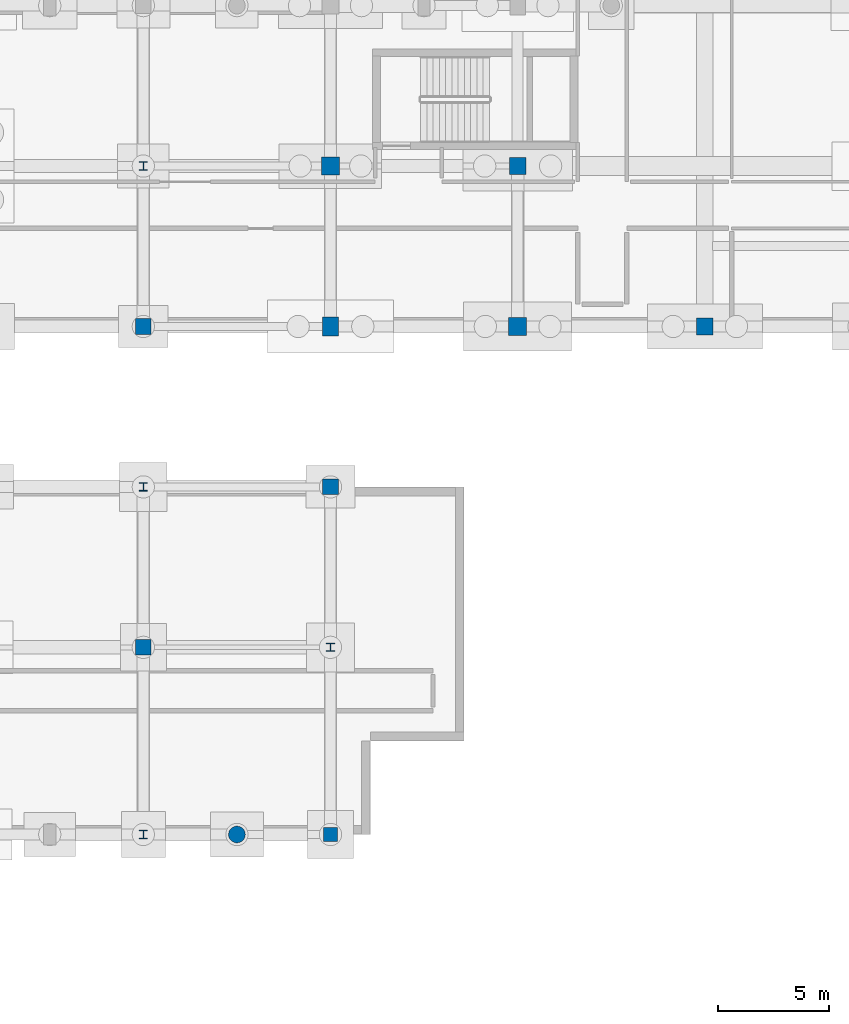
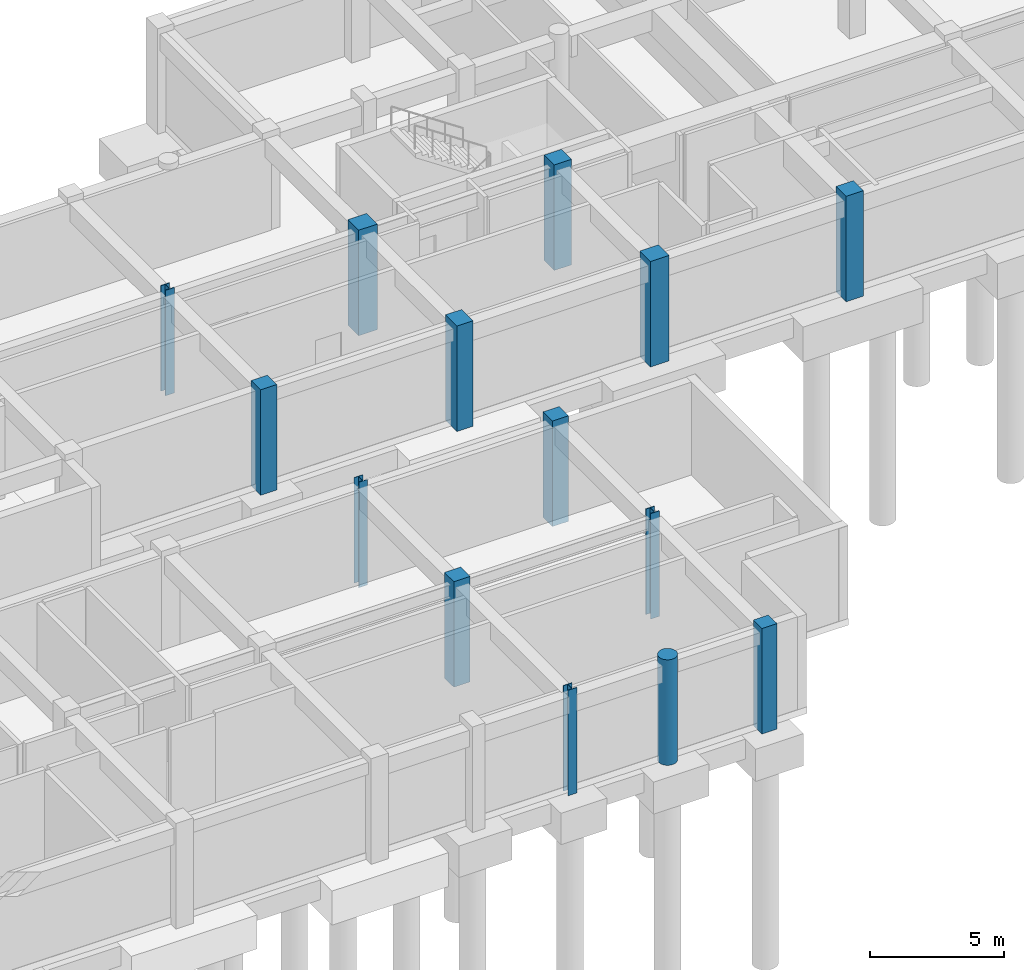
# One storey, part 16 of 42: 14 columns.
"""IFC4 building model written with IfcOpenShell, lengths in metres."""

import ifcopenshell
import ifcopenshell.guid

model = None  # the IFC model being written
_history = None  # IfcOwnerHistory: only IFC2X3 demands one
_inside = {}  # id of a spatial element -> (the spatial element, [elements in it])
_under = {}  # id of a project, library or spatial element -> (it, [spatial elements below it])
_declared = {}  # id of a project -> (the project, [libraries it declares])
_typed = {}  # id of a type object -> (the type object, [elements of that type])
_made_of = {}  # id of a material, layer set ... -> (it, [elements and type objects made of it])


def new_model(schema):
    """Start an empty IFC model of exactly this schema.

    Asked for "IFC4X3", IfcOpenShell would pick the latest addendum, in which some entities
    have other attributes; the version numbers below select the first issue.
    IFC2X3 requires an IfcOwnerHistory on every rooted entity: one is made here for all.
    """
    global model, _history
    if schema == "IFC4X3":
        model = ifcopenshell.file(schema_version=(4, 3, 0, 0))
    else:
        model = ifcopenshell.file(schema=schema)
    _inside.clear()
    _under.clear()
    _declared.clear()
    _typed.clear()
    _made_of.clear()
    _history = None
    if model.schema == "IFC2X3":
        org = make("IfcOrganization", Name="unknown")
        user = make(
            "IfcPersonAndOrganization",
            ThePerson=make("IfcPerson", FamilyName="unknown"),
            TheOrganization=org,
        )
        app = make(
            "IfcApplication",
            ApplicationDeveloper=org,
            Version="unknown",
            ApplicationFullName="unknown",
            ApplicationIdentifier="unknown",
        )
        _history = make(
            "IfcOwnerHistory",
            OwningUser=user,
            OwningApplication=app,
            ChangeAction="ADDED",
            CreationDate=0,
        )
    return model


def make(cls, **values):
    """One entity of the class cls with the attributes given. An attribute that is None is left unset."""
    return model.create_entity(
        cls, **{name: value for name, value in values.items() if value is not None}
    )


def rooted(cls, **values):
    """An entity with a GlobalId (a new one), such as an element, a storey or a relation."""
    return make(cls, GlobalId=ifcopenshell.guid.new(), OwnerHistory=_history, **values)


def si_unit(unit_type, name, prefix=None):
    """IfcSIUnit, for example si_unit("LENGTHUNIT", "METRE", prefix="MILLI")."""
    return make("IfcSIUnit", UnitType=unit_type, Prefix=prefix, Name=name)


def assignment(units):
    """IfcUnitAssignment: the units of a project."""
    return None if units is None else make("IfcUnitAssignment", Units=units)


def point(xyz):
    """IfcCartesianPoint."""
    return None if xyz is None else make("IfcCartesianPoint", Coordinates=xyz)


def direction(xyz):
    """IfcDirection."""
    return None if xyz is None else make("IfcDirection", DirectionRatios=xyz)


def frame(location, z_axis=None, x_axis=None):
    """IfcAxis2Placement3D, a coordinate frame: its origin and axes. An axis left out is left unset."""
    return make(
        "IfcAxis2Placement3D",
        Location=point(location),
        Axis=direction(z_axis),
        RefDirection=direction(x_axis),
    )


def frame_2d(location, x_axis=None):
    """IfcAxis2Placement2D, a coordinate frame in the plane: its origin and x axis."""
    return make(
        "IfcAxis2Placement2D", Location=point(location), RefDirection=direction(x_axis)
    )


def origin():
    """The frame at (0, 0, 0) with its axes left unset."""
    return frame((0.0, 0.0, 0.0))


def origin_2d():
    """The frame at (0, 0) in the plane with its x axis left unset."""
    return frame_2d((0.0, 0.0))


def place(relative_to, where):
    """IfcLocalPlacement: puts the frame where relative to a parent placement (None: the world)."""
    return make(
        "IfcLocalPlacement", PlacementRelTo=relative_to, RelativePlacement=where
    )


def context(
    kind, dimensions, precision=None, world=None, true_north=None, identifier=None
):
    """IfcGeometricRepresentationContext, for example the 3D "Model" context."""
    return make(
        "IfcGeometricRepresentationContext",
        ContextIdentifier=identifier,
        ContextType=kind,
        CoordinateSpaceDimension=dimensions,
        Precision=precision,
        WorldCoordinateSystem=world,
        TrueNorth=true_north,
    )


def subcontext(parent, identifier, kind, view, scale=None):
    """IfcGeometricRepresentationSubContext, for example "Body" below "Model"."""
    return make(
        "IfcGeometricRepresentationSubContext",
        ContextIdentifier=identifier,
        ContextType=kind,
        ParentContext=parent,
        TargetScale=scale,
        TargetView=view,
    )


def project(units=None, contexts=None):
    """IfcProject with its units and contexts."""
    return rooted(
        "IfcProject",
        Name="project",
        RepresentationContexts=contexts,
        UnitsInContext=assignment(units),
    )


def spatial(cls, under=None, at=None, **own):
    """A site, building, storey or space (cls), placed at a placement, below another one or the project."""
    s = rooted(cls, ObjectPlacement=at, **own)
    if under is not None:
        _under.setdefault(under.id(), (under, []))[1].append(s)
    return s


def profile(cls, at=None, kind="AREA", **sizes):
    """A parametric profile (cls). Its sizes go by their IFC names, for example OverallWidth=200.0."""
    return make(cls, ProfileType=kind, Position=at, **sizes)


def rectangle(**sizes):
    """IfcRectangleProfileDef."""
    return profile("IfcRectangleProfileDef", **sizes)


def circle(**sizes):
    """IfcCircleProfileDef."""
    return profile("IfcCircleProfileDef", **sizes)


def i_section(**sizes):
    """IfcIShapeProfileDef."""
    return profile("IfcIShapeProfileDef", **sizes)


def extrude(swept, where, along, depth):
    """IfcExtrudedAreaSolid: the profile swept, set in the frame where, extruded along a direction by depth."""
    return make(
        "IfcExtrudedAreaSolid",
        SweptArea=swept,
        Position=where,
        ExtrudedDirection=direction(along),
        Depth=depth,
    )


def shape(context_of_items, identifier, shape_type, items):
    """IfcShapeRepresentation: the items that make up one representation, for example the "Body"."""
    return make(
        "IfcShapeRepresentation",
        ContextOfItems=context_of_items,
        RepresentationIdentifier=identifier,
        RepresentationType=shape_type,
        Items=items,
    )


def material(Name=None, Category=None):
    """IfcMaterial."""
    return make("IfcMaterial", Name=Name, Category=Category)


def material_profile(
    of_material, cross_section, Name=None, Category=None, Priority=None
):
    """IfcMaterialProfile: a cross section and its material."""
    return make(
        "IfcMaterialProfile",
        Name=Name,
        Material=of_material,
        Profile=cross_section,
        Priority=Priority,
        Category=Category,
    )


def profile_set(profiles, Name=None, composite=None):
    """IfcMaterialProfileSet."""
    return make(
        "IfcMaterialProfileSet",
        Name=Name,
        MaterialProfiles=profiles,
        CompositeProfile=composite,
    )


def made_of(thing, what):
    """Note that an element or type object is made of a material, layer set ...; save() writes the relation."""
    if what is not None:
        _made_of.setdefault(what.id(), (what, []))[1].append(thing)
    return thing


def type_object(cls, material=None, **own):
    """A type object (cls), such as IfcWallType, which elements share."""
    return made_of(rooted(cls, **own), material)


def element(
    cls,
    number,
    at=None,
    inside=None,
    cuts=None,
    type_object=None,
    material=None,
    context=None,
    identifier="Body",
    shape_type=None,
    held_by="IfcProductDefinitionShape",
    body=None,
    shapes=None,
    **own,
):
    """One element of the class cls, such as IfcWall. Its Tag is "e" and its number.

    at: its placement. inside: the storey or other place that contains it. cuts: it is an
    opening in that element (IfcRelVoidsElement). A single representation is given by context,
    identifier, shape_type and body (its items); several are given by shapes. held_by: the class
    of the entity that holds the representations. save() writes the other relations.
    """
    e = rooted(cls, Tag="e%d" % number, ObjectPlacement=at, **own)
    if body is not None:
        shapes = [shape(context, identifier, shape_type, body)]
    if shapes is not None:
        e.Representation = make(held_by, Representations=shapes)
    if inside is not None:
        _inside.setdefault(inside.id(), (inside, []))[1].append(e)
    if cuts is not None:
        rooted(
            "IfcRelVoidsElement", RelatingBuildingElement=cuts, RelatedOpeningElement=e
        )
    if type_object is not None:
        _typed.setdefault(type_object.id(), (type_object, []))[1].append(e)
    return made_of(e, material)


def aggregate(whole, parts):
    """IfcRelAggregates: a whole, such as a stair, and the parts it consists of."""
    return rooted("IfcRelAggregates", RelatingObject=whole, RelatedObjects=parts)


def save(model, path):
    """Write the relations noted so far, then the file.

    IfcRelAggregates (storeys below a building ...), IfcRelContainedInSpatialStructure (elements
    in a storey), IfcRelDefinesByType, IfcRelAssociatesMaterial and IfcRelDeclares: one each for
    every whole, place, type object, material and project.
    """
    for whole, parts in _under.values():
        aggregate(whole, parts)
    for where, things in _inside.values():
        rooted(
            "IfcRelContainedInSpatialStructure",
            RelatedElements=things,
            RelatingStructure=where,
        )
    for kind, things in _typed.values():
        rooted("IfcRelDefinesByType", RelatedObjects=things, RelatingType=kind)
    for what, things in _made_of.values():
        rooted("IfcRelAssociatesMaterial", RelatedObjects=things, RelatingMaterial=what)
    for by, libraries in _declared.values():
        rooted("IfcRelDeclares", RelatingContext=by, RelatedDefinitions=libraries)
    model.write(path)


model = new_model("IFC4")

# Units and contexts
model_context = context("Model", 3, precision=1e-05, world=origin(), true_north=direction((0.0, 1.0)))
body_context = subcontext(model_context, "Body", "Model", "MODEL_VIEW")
ifc_project = project(units=[si_unit("LENGTHUNIT", "METRE"), si_unit("AREAUNIT", "SQUARE_METRE"), si_unit("VOLUMEUNIT", "CUBIC_METRE"), si_unit("PLANEANGLEUNIT", "RADIAN"), si_unit("MASSUNIT", "GRAM", prefix="KILO")], contexts=[model_context])

# Site, building, storey
site_placement = place(None, origin())
site = spatial("IfcSite", under=ifc_project, at=site_placement, CompositionType="ELEMENT")
building_placement = place(site_placement, origin())
building = spatial("IfcBuilding", under=site, at=building_placement, Name="Quendrovan Civic Courthouse", CompositionType="ELEMENT")
storey_placement = place(building_placement, frame((0.0, 0.0, -4.5)))
storey = spatial("IfcBuildingStorey", under=building, at=storey_placement, Name="B1", CompositionType="ELEMENT", Elevation=-4.5)

# Columns
ifc_material_1 = material(Name="Precast concrete C45/55", Category="concrete")
ifc_material_profile_1 = material_profile(ifc_material_1, circle(Radius=0.375, at=origin_2d()), Name="RC-ARCADE-D750")
ifc_profile_set_1 = profile_set([ifc_material_profile_1], Name="Precast concrete C45/55")
column_type_1 = type_object("IfcColumnType", Name="COL-ARC750", PredefinedType="PILASTER", material=ifc_profile_set_1)
column_1_placement = place(storey_placement, frame((105.0, 64.800048828125, -0.300048828125), z_axis=(0.0, 0.0, 1.0), x_axis=(1.0, 0.0, 0.0)))
element("IfcColumn", 1, at=column_1_placement, inside=storey, type_object=column_type_1, Name="B1 Column PIL-C4", PredefinedType="PILASTER", context=body_context, shape_type="SweptSolid", body=[
    extrude(circle(Radius=0.375, at=origin_2d()), origin(), (0.0, 0.0, 1.0), 4.800048828125),
])
ifc_material_2 = material(Name="Concrete C40/50", Category="concrete")
ifc_material_profile_2 = material_profile(ifc_material_2, rectangle(XDim=0.699951171875, YDim=0.85009765625, at=origin_2d()), Name="RC-COL-700x850")
ifc_profile_set_2 = profile_set([ifc_material_profile_2], Name="Concrete C40/50")
column_type_2 = type_object("IfcColumnType", Name="COL-RC-700x850", PredefinedType="COLUMN", material=ifc_profile_set_2)
column_2_placement = place(storey_placement, frame((109.199951171875, 87.60009765625, -0.300048828125), z_axis=(0.0, 0.0, 1.0), x_axis=(1.0, 0.0, 0.0)))
element("IfcColumn", 2, at=column_2_placement, inside=storey, type_object=column_type_2, Name="B1 Column 14-M", PredefinedType="COLUMN", context=body_context, shape_type="SweptSolid", body=[
    extrude(rectangle(XDim=0.699951171875, YDim=0.85009765625, at=origin_2d()), origin(), (0.0, 0.0, 1.0), 4.800048828125),
])
ifc_material_3 = material(Name="Concrete C45/55", Category="concrete")
ifc_material_profile_3 = material_profile(ifc_material_3, rectangle(XDim=0.64990234375, YDim=0.64990234375, at=origin_2d()), Name="RC-COL-650x650")
ifc_profile_set_3 = profile_set([ifc_material_profile_3], Name="Concrete C45/55")
column_type_3 = type_object("IfcColumnType", Name="COL-RC650", PredefinedType="COLUMN", material=ifc_profile_set_3)
column_3_placement = place(storey_placement, frame((109.199951171875, 64.800048828125, -0.300048828125), z_axis=(0.0, 0.0, 1.0), x_axis=(1.0, 0.0, 0.0)))
element("IfcColumn", 3, at=column_3_placement, inside=storey, type_object=column_type_3, Name="B1 Column 14-J", PredefinedType="COLUMN", context=body_context, shape_type="SweptSolid", body=[
    extrude(rectangle(XDim=0.64990234375, YDim=0.64990234375, at=origin_2d()), origin(), (0.0, 0.0, 1.0), 4.800048828125),
])
ifc_material_profile_4 = material_profile(ifc_material_3, rectangle(XDim=0.699951171875, YDim=0.699951171875, at=origin_2d()), Name="RC-COL-700x700")
ifc_profile_set_4 = profile_set([ifc_material_profile_4], Name="Concrete C45/55")
column_type_4 = type_object("IfcColumnType", Name="COL-RC700", PredefinedType="COLUMN", material=ifc_profile_set_4)
for number, where, z_axis, x_axis, name in (
    (4, (100.800048828125, 73.199951171875, -0.300048828125), (0.0, 0.0, 1.0), (1.0, 0.0, 0.0), "B1 Column 13-K"),
    (5, (100.800048828125, 87.60009765625, -0.300048828125), (0.0, 0.0, 1.0), (1.0, 0.0, 0.0), "B1 Column 13-M"),
    (6, (109.199951171875, 80.39990234375, -0.300048828125), (0.0, 0.0, 1.0), (1.0, 0.0, 0.0), "B1 Column 14-L"),
):
    element("IfcColumn", number, at=place(storey_placement, frame(where, z_axis=z_axis, x_axis=x_axis)), inside=storey, type_object=column_type_4, Name=name, PredefinedType="COLUMN", context=body_context, shape_type="SweptSolid", body=[
        extrude(rectangle(XDim=0.699951171875, YDim=0.699951171875, at=origin_2d()), origin(), (0.0, 0.0, 1.0), 4.800048828125),
    ])
ifc_material_profile_5 = material_profile(ifc_material_3, rectangle(XDim=0.75, YDim=0.75, at=origin_2d()), Name="RC-COL-750x750")
ifc_profile_set_5 = profile_set([ifc_material_profile_5], Name="Concrete C45/55")
column_type_5 = type_object("IfcColumnType", Name="COL-RC750", PredefinedType="COLUMN", material=ifc_profile_set_5)
for number, where, z_axis, x_axis, name in (
    (7, (117.60009765625, 94.800048828125, -0.300048828125), (0.0, 0.0, 1.0), (1.0, 0.0, 0.0), "B1 Column 15-N"),
    (8, (126.0, 87.60009765625, -0.300048828125), (0.0, 0.0, 1.0), (1.0, 0.0, 0.0), "B1 Column 16-M"),
):
    element("IfcColumn", number, at=place(storey_placement, frame(where, z_axis=z_axis, x_axis=x_axis)), inside=storey, type_object=column_type_5, Name=name, PredefinedType="COLUMN", context=body_context, shape_type="SweptSolid", body=[
        extrude(rectangle(XDim=0.75, YDim=0.75, at=origin_2d()), origin(), (0.0, 0.0, 1.0), 4.800048828125),
    ])
ifc_material_profile_6 = material_profile(ifc_material_3, rectangle(XDim=0.800048828125, YDim=0.800048828125, at=origin_2d()), Name="RC-COL-800x800")
ifc_profile_set_6 = profile_set([ifc_material_profile_6], Name="Concrete C45/55")
column_type_6 = type_object("IfcColumnType", Name="COL-RC800", PredefinedType="COLUMN", material=ifc_profile_set_6)
for number, where, z_axis, x_axis, name in (
    (9, (109.199951171875, 94.800048828125, -0.300048828125), (0.0, 0.0, 1.0), (1.0, 0.0, 0.0), "B1 Column 14-N"),
    (10, (117.60009765625, 87.60009765625, -0.300048828125), (0.0, 0.0, 1.0), (1.0, 0.0, 0.0), "B1 Column 15-M"),
):
    element("IfcColumn", number, at=place(storey_placement, frame(where, z_axis=z_axis, x_axis=x_axis)), inside=storey, type_object=column_type_6, Name=name, PredefinedType="COLUMN", context=body_context, shape_type="SweptSolid", body=[
        extrude(rectangle(XDim=0.800048828125, YDim=0.800048828125, at=origin_2d()), origin(), (0.0, 0.0, 1.0), 4.800048828125),
    ])
ifc_material_4 = material(Name="Steel ASTM A992 Grade 50", Category="steel")
ifc_material_profile_7 = material_profile(ifc_material_4, i_section(OverallWidth=0.3740234375, OverallDepth=0.3720703125, WebThickness=0.016357421875, FlangeThickness=0.026123046875, at=origin_2d()), Name="W14X132")
ifc_profile_set_7 = profile_set([ifc_material_profile_7], Name="Steel ASTM A992 Grade 50")
column_type_7 = type_object("IfcColumnType", Name="COL-STL-W14X132", PredefinedType="COLUMN", material=ifc_profile_set_7)
for number, where, z_axis, x_axis, name in (
    (11, (100.800048828125, 64.800048828125, -0.300048828125), (0.0, 0.0, 1.0), (1.0, 0.0, 0.0), "B1 Column 13-J"),
    (12, (100.800048828125, 80.39990234375, -0.300048828125), (0.0, 0.0, 1.0), (1.0, 0.0, 0.0), "B1 Column 13-L"),
    (13, (100.800048828125, 94.800048828125, -0.300048828125), (0.0, 0.0, 1.0), (1.0, 0.0, 0.0), "B1 Column 13-N"),
    (14, (109.199951171875, 73.199951171875, -0.300048828125), (0.0, 0.0, 1.0), (1.0, 0.0, 0.0), "B1 Column 14-K"),
):
    element("IfcColumn", number, at=place(storey_placement, frame(where, z_axis=z_axis, x_axis=x_axis)), inside=storey, type_object=column_type_7, Name=name, PredefinedType="COLUMN", context=body_context, shape_type="SweptSolid", body=[
        extrude(i_section(OverallWidth=0.3740234375, OverallDepth=0.3720703125, WebThickness=0.016357421875, FlangeThickness=0.026123046875, at=origin_2d()), origin(), (0.0, 0.0, 1.0), 4.800048828125),
    ])

save(model, "model.ifc")
